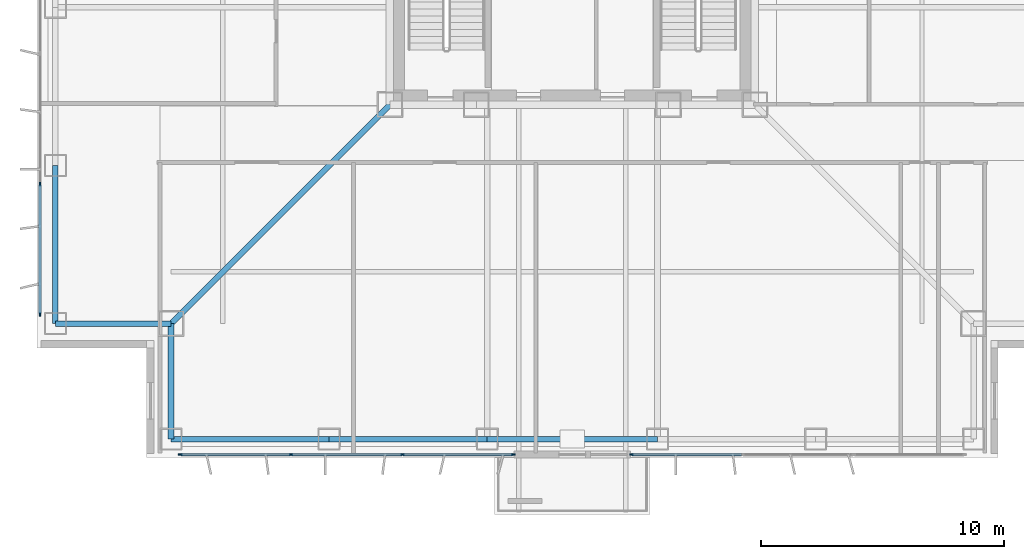
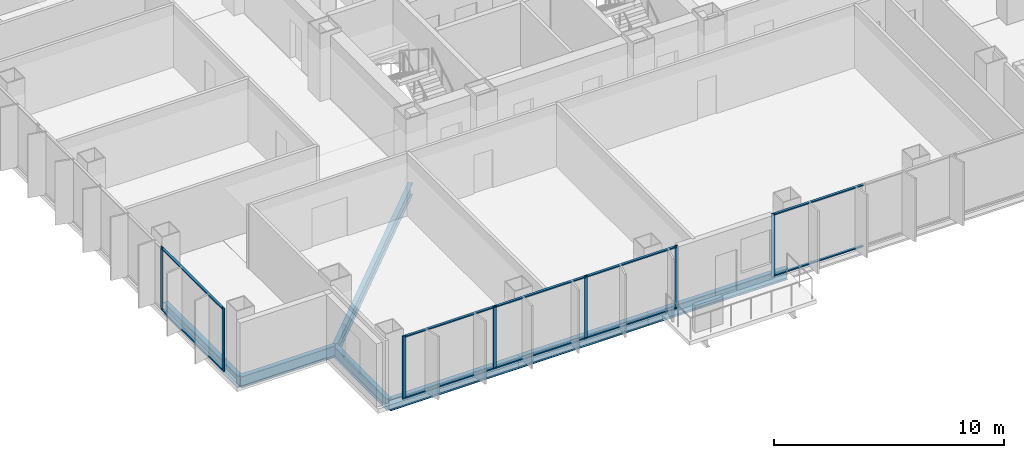
# One storey, part 2 of 18: 17 members, 7 beams, 3 elements without a shape of their own.
"""IFC4 building model written with IfcOpenShell, lengths in metres."""

import ifcopenshell
import ifcopenshell.guid

model = None  # the IFC model being written
_history = None  # IfcOwnerHistory: only IFC2X3 demands one
_inside = {}  # id of a spatial element -> (the spatial element, [elements in it])
_under = {}  # id of a project, library or spatial element -> (it, [spatial elements below it])
_declared = {}  # id of a project -> (the project, [libraries it declares])
_typed = {}  # id of a type object -> (the type object, [elements of that type])
_made_of = {}  # id of a material, layer set ... -> (it, [elements and type objects made of it])


def new_model(schema):
    """Start an empty IFC model of exactly this schema.

    Asked for "IFC4X3", IfcOpenShell would pick the latest addendum, in which some entities
    have other attributes; the version numbers below select the first issue.
    IFC2X3 requires an IfcOwnerHistory on every rooted entity: one is made here for all.
    """
    global model, _history
    if schema == "IFC4X3":
        model = ifcopenshell.file(schema_version=(4, 3, 0, 0))
    else:
        model = ifcopenshell.file(schema=schema)
    _inside.clear()
    _under.clear()
    _declared.clear()
    _typed.clear()
    _made_of.clear()
    _history = None
    if model.schema == "IFC2X3":
        org = make("IfcOrganization", Name="unknown")
        user = make(
            "IfcPersonAndOrganization",
            ThePerson=make("IfcPerson", FamilyName="unknown"),
            TheOrganization=org,
        )
        app = make(
            "IfcApplication",
            ApplicationDeveloper=org,
            Version="unknown",
            ApplicationFullName="unknown",
            ApplicationIdentifier="unknown",
        )
        _history = make(
            "IfcOwnerHistory",
            OwningUser=user,
            OwningApplication=app,
            ChangeAction="ADDED",
            CreationDate=0,
        )
    return model


def make(cls, **values):
    """One entity of the class cls with the attributes given. An attribute that is None is left unset."""
    return model.create_entity(
        cls, **{name: value for name, value in values.items() if value is not None}
    )


def rooted(cls, **values):
    """An entity with a GlobalId (a new one), such as an element, a storey or a relation."""
    return make(cls, GlobalId=ifcopenshell.guid.new(), OwnerHistory=_history, **values)


def si_unit(unit_type, name, prefix=None):
    """IfcSIUnit, for example si_unit("LENGTHUNIT", "METRE", prefix="MILLI")."""
    return make("IfcSIUnit", UnitType=unit_type, Prefix=prefix, Name=name)


def assignment(units):
    """IfcUnitAssignment: the units of a project."""
    return None if units is None else make("IfcUnitAssignment", Units=units)


def point(xyz):
    """IfcCartesianPoint."""
    return None if xyz is None else make("IfcCartesianPoint", Coordinates=xyz)


def direction(xyz):
    """IfcDirection."""
    return None if xyz is None else make("IfcDirection", DirectionRatios=xyz)


def frame(location, z_axis=None, x_axis=None):
    """IfcAxis2Placement3D, a coordinate frame: its origin and axes. An axis left out is left unset."""
    return make(
        "IfcAxis2Placement3D",
        Location=point(location),
        Axis=direction(z_axis),
        RefDirection=direction(x_axis),
    )


def frame_2d(location, x_axis=None):
    """IfcAxis2Placement2D, a coordinate frame in the plane: its origin and x axis."""
    return make(
        "IfcAxis2Placement2D", Location=point(location), RefDirection=direction(x_axis)
    )


def origin():
    """The frame at (0, 0, 0) with its axes left unset."""
    return frame((0.0, 0.0, 0.0))


def origin_2d():
    """The frame at (0, 0) in the plane with its x axis left unset."""
    return frame_2d((0.0, 0.0))


def place(relative_to, where):
    """IfcLocalPlacement: puts the frame where relative to a parent placement (None: the world)."""
    return make(
        "IfcLocalPlacement", PlacementRelTo=relative_to, RelativePlacement=where
    )


def context(
    kind, dimensions, precision=None, world=None, true_north=None, identifier=None
):
    """IfcGeometricRepresentationContext, for example the 3D "Model" context."""
    return make(
        "IfcGeometricRepresentationContext",
        ContextIdentifier=identifier,
        ContextType=kind,
        CoordinateSpaceDimension=dimensions,
        Precision=precision,
        WorldCoordinateSystem=world,
        TrueNorth=true_north,
    )


def subcontext(parent, identifier, kind, view, scale=None):
    """IfcGeometricRepresentationSubContext, for example "Body" below "Model"."""
    return make(
        "IfcGeometricRepresentationSubContext",
        ContextIdentifier=identifier,
        ContextType=kind,
        ParentContext=parent,
        TargetScale=scale,
        TargetView=view,
    )


def project(units=None, contexts=None):
    """IfcProject with its units and contexts."""
    return rooted(
        "IfcProject",
        Name="project",
        RepresentationContexts=contexts,
        UnitsInContext=assignment(units),
    )


def spatial(cls, under=None, at=None, **own):
    """A site, building, storey or space (cls), placed at a placement, below another one or the project."""
    s = rooted(cls, ObjectPlacement=at, **own)
    if under is not None:
        _under.setdefault(under.id(), (under, []))[1].append(s)
    return s


def profile(cls, at=None, kind="AREA", **sizes):
    """A parametric profile (cls). Its sizes go by their IFC names, for example OverallWidth=200.0."""
    return make(cls, ProfileType=kind, Position=at, **sizes)


def rectangle(**sizes):
    """IfcRectangleProfileDef."""
    return profile("IfcRectangleProfileDef", **sizes)


def i_section(**sizes):
    """IfcIShapeProfileDef."""
    return profile("IfcIShapeProfileDef", **sizes)


def extrude(swept, where, along, depth):
    """IfcExtrudedAreaSolid: the profile swept, set in the frame where, extruded along a direction by depth."""
    return make(
        "IfcExtrudedAreaSolid",
        SweptArea=swept,
        Position=where,
        ExtrudedDirection=direction(along),
        Depth=depth,
    )


def shape(context_of_items, identifier, shape_type, items):
    """IfcShapeRepresentation: the items that make up one representation, for example the "Body"."""
    return make(
        "IfcShapeRepresentation",
        ContextOfItems=context_of_items,
        RepresentationIdentifier=identifier,
        RepresentationType=shape_type,
        Items=items,
    )


def material(Name=None, Category=None):
    """IfcMaterial."""
    return make("IfcMaterial", Name=Name, Category=Category)


def layer(
    of_material, thickness, ventilated=None, Name=None, Category=None, Priority=None
):
    """IfcMaterialLayer: one layer of a wall or slab, of a material (None: an air gap)."""
    return make(
        "IfcMaterialLayer",
        Material=of_material,
        LayerThickness=thickness,
        IsVentilated=ventilated,
        Name=Name,
        Category=Category,
        Priority=Priority,
    )


def layer_set(layers, Name=None):
    """IfcMaterialLayerSet."""
    return make("IfcMaterialLayerSet", MaterialLayers=layers, LayerSetName=Name)


def material_profile(
    of_material, cross_section, Name=None, Category=None, Priority=None
):
    """IfcMaterialProfile: a cross section and its material."""
    return make(
        "IfcMaterialProfile",
        Name=Name,
        Material=of_material,
        Profile=cross_section,
        Priority=Priority,
        Category=Category,
    )


def profile_set(profiles, Name=None, composite=None):
    """IfcMaterialProfileSet."""
    return make(
        "IfcMaterialProfileSet",
        Name=Name,
        MaterialProfiles=profiles,
        CompositeProfile=composite,
    )


def made_of(thing, what):
    """Note that an element or type object is made of a material, layer set ...; save() writes the relation."""
    if what is not None:
        _made_of.setdefault(what.id(), (what, []))[1].append(thing)
    return thing


def type_object(cls, material=None, **own):
    """A type object (cls), such as IfcWallType, which elements share."""
    return made_of(rooted(cls, **own), material)


def element(
    cls,
    number,
    at=None,
    inside=None,
    cuts=None,
    type_object=None,
    material=None,
    context=None,
    identifier="Body",
    shape_type=None,
    held_by="IfcProductDefinitionShape",
    body=None,
    shapes=None,
    **own,
):
    """One element of the class cls, such as IfcWall. Its Tag is "e" and its number.

    at: its placement. inside: the storey or other place that contains it. cuts: it is an
    opening in that element (IfcRelVoidsElement). A single representation is given by context,
    identifier, shape_type and body (its items); several are given by shapes. held_by: the class
    of the entity that holds the representations. save() writes the other relations.
    """
    e = rooted(cls, Tag="e%d" % number, ObjectPlacement=at, **own)
    if body is not None:
        shapes = [shape(context, identifier, shape_type, body)]
    if shapes is not None:
        e.Representation = make(held_by, Representations=shapes)
    if inside is not None:
        _inside.setdefault(inside.id(), (inside, []))[1].append(e)
    if cuts is not None:
        rooted(
            "IfcRelVoidsElement", RelatingBuildingElement=cuts, RelatedOpeningElement=e
        )
    if type_object is not None:
        _typed.setdefault(type_object.id(), (type_object, []))[1].append(e)
    return made_of(e, material)


def aggregate(whole, parts):
    """IfcRelAggregates: a whole, such as a stair, and the parts it consists of."""
    return rooted("IfcRelAggregates", RelatingObject=whole, RelatedObjects=parts)


def save(model, path):
    """Write the relations noted so far, then the file.

    IfcRelAggregates (storeys below a building ...), IfcRelContainedInSpatialStructure (elements
    in a storey), IfcRelDefinesByType, IfcRelAssociatesMaterial and IfcRelDeclares: one each for
    every whole, place, type object, material and project.
    """
    for whole, parts in _under.values():
        aggregate(whole, parts)
    for where, things in _inside.values():
        rooted(
            "IfcRelContainedInSpatialStructure",
            RelatedElements=things,
            RelatingStructure=where,
        )
    for kind, things in _typed.values():
        rooted("IfcRelDefinesByType", RelatedObjects=things, RelatingType=kind)
    for what, things in _made_of.values():
        rooted("IfcRelAssociatesMaterial", RelatedObjects=things, RelatingMaterial=what)
    for by, libraries in _declared.values():
        rooted("IfcRelDeclares", RelatingContext=by, RelatedDefinitions=libraries)
    model.write(path)


model = new_model("IFC4")

# Units and contexts
model_context = context("Model", 3, precision=1e-05, world=origin(), true_north=direction((0.0, 1.0)))
body_context = subcontext(model_context, "Body", "Model", "MODEL_VIEW")
ifc_project = project(units=[si_unit("LENGTHUNIT", "METRE"), si_unit("AREAUNIT", "SQUARE_METRE"), si_unit("VOLUMEUNIT", "CUBIC_METRE"), si_unit("PLANEANGLEUNIT", "RADIAN"), si_unit("MASSUNIT", "GRAM", prefix="KILO")], contexts=[model_context])

# Site, building, storey
site_placement = place(None, origin())
site = spatial("IfcSite", under=ifc_project, at=site_placement, CompositionType="ELEMENT")
building_placement = place(site_placement, origin())
building = spatial("IfcBuilding", under=site, at=building_placement, Name="Trevonay Congress Spire", CompositionType="ELEMENT")
storey_placement = place(building_placement, frame((0.0, 0.0, 104.800048828125)))
storey = spatial("IfcBuildingStorey", under=building, at=storey_placement, Name="L26", CompositionType="ELEMENT", Elevation=104.800048828125)

# Beams
ifc_material_1 = material(Name="Steel ASTM A572 Grade 50", Category="steel")
ifc_material_profile_1 = material_profile(ifc_material_1, i_section(OverallWidth=0.22998046875, OverallDepth=0.616943359375, WebThickness=0.01318359375, FlangeThickness=0.022216796875, FilletRadius=0.01611328125, at=origin_2d()), Name="W610x140")
ifc_profile_set_1 = profile_set([ifc_material_profile_1], Name="Steel ASTM A572 Grade 50")
beam_type_1 = type_object("IfcBeamType", Name="BM-GIRD-W610X140", PredefinedType="BEAM", material=ifc_profile_set_1)
beam_1_placement = place(storey_placement, frame((-7.5, -7.5, -0.548583984375), z_axis=(-0.707106781187, -0.707106781187, 0.0), x_axis=(0.707106781187, -0.707106781187, 0.0)))
element("IfcBeam", 1, at=beam_1_placement, inside=storey, type_object=beam_type_1, Name="L26 structural beam BM-L26-CDSW", PredefinedType="BEAM", context=body_context, shape_type="SweptSolid", body=[
    extrude(i_section(OverallWidth=0.22998046875, OverallDepth=0.616943359375, WebThickness=0.01318359375, FlangeThickness=0.022216796875, FilletRadius=0.01611328125, at=origin_2d()), origin(), (0.0, 0.0, 1.0), 12.72802734375),
])
ifc_material_profile_2 = material_profile(ifc_material_1, i_section(OverallWidth=0.22802734375, OverallDepth=0.60791015625, WebThickness=0.01123046875, FlangeThickness=0.017333984375, FilletRadius=0.01611328125, at=origin_2d()), Name="W610x113")
ifc_profile_set_2 = profile_set([ifc_material_profile_2], Name="Steel ASTM A572 Grade 50")
beam_type_2 = type_object("IfcBeamType", Name="BM-RING-W610X113", PredefinedType="BEAM", material=ifc_profile_set_2)
for number, where, z_axis, x_axis, name in (
    (2, (-16.5, -21.25, -0.5439453125), (1.0, 0.0, 0.0), (0.0, 1.0, 0.0), "L26 structural beam BM-L26-PS1"),
    (3, (-21.25, -16.5, -0.5439453125), (0.0, 1.0, 0.0), (-1.0, 0.0, 0.0), "L26 structural beam BM-L26-PW1"),
    (4, (-10.0, -21.25, -0.5439453125), (1.0, 0.0, 0.0), (0.0, 1.0, 0.0), "L26 structural beam BM-L26-PS2"),
):
    element("IfcBeam", number, at=place(storey_placement, frame(where, z_axis=z_axis, x_axis=x_axis)), inside=storey, type_object=beam_type_2, Name=name, PredefinedType="BEAM", context=body_context, shape_type="SweptSolid", body=[
        extrude(i_section(OverallWidth=0.22802734375, OverallDepth=0.60791015625, WebThickness=0.01123046875, FlangeThickness=0.017333984375, FilletRadius=0.01611328125, at=origin_2d()), origin(), (0.0, 0.0, 1.0), 6.5),
    ])
beam_2_placement = place(storey_placement, frame((-3.5, -21.25, -0.5439453125), z_axis=(1.0, 0.0, 0.0), x_axis=(0.0, 1.0, 0.0)))
element("IfcBeam", 5, at=beam_2_placement, inside=storey, type_object=beam_type_2, Name="L26 structural beam BM-L26-PS3", PredefinedType="BEAM", context=body_context, shape_type="SweptSolid", body=[
    extrude(i_section(OverallWidth=0.22802734375, OverallDepth=0.60791015625, WebThickness=0.01123046875, FlangeThickness=0.017333984375, FilletRadius=0.01611328125, at=origin_2d()), origin(), (0.0, 0.0, 1.0), 7.0),
])
for number, where, z_axis, x_axis, name in (
    (6, (-16.5, -21.25, -0.5439453125), (0.0, 1.0, 0.0), (-1.0, 0.0, 0.0), "L26 structural beam BM-L26-N1SW"),
    (7, (-21.25, -16.5, -0.5439453125), (1.0, 0.0, 0.0), (0.0, 1.0, 0.0), "L26 structural beam BM-L26-N2SW"),
):
    element("IfcBeam", number, at=place(storey_placement, frame(where, z_axis=z_axis, x_axis=x_axis)), inside=storey, type_object=beam_type_2, Name=name, PredefinedType="BEAM", context=body_context, shape_type="SweptSolid", body=[
        extrude(i_section(OverallWidth=0.22802734375, OverallDepth=0.60791015625, WebThickness=0.01123046875, FlangeThickness=0.017333984375, FilletRadius=0.01611328125, at=origin_2d()), origin(), (0.0, 0.0, 1.0), 4.75),
    ])

# Curtain wall, members
ifc_material_2 = material(Name="Pale Anodised Aluminium EN AW-6063-T6", Category="aluminium")
ifc_layer = layer(ifc_material_2, 0.175048828125, Name="Pale Anodised Aluminium EN AW-6063-T6")
ifc_layer_set = layer_set([ifc_layer], Name="Pale Anodised Aluminium EN AW-6063-T6")
curtain_wall_type = type_object("IfcCurtainWallType", Name="CW-SYS03-CONGRESS-PALE-METAL", PredefinedType="NOTDEFINED", material=ifc_layer_set)
curtain_wall_1_placement = place(storey_placement, origin())
curtain_wall_1 = element("IfcCurtainWall", 8, at=curtain_wall_1_placement, inside=storey, type_object=curtain_wall_type, Name="L26 SA unitised curtain wall", PredefinedType="NOTDEFINED")
ifc_material_profile_3 = material_profile(ifc_material_2, rectangle(XDim=0.06005859375, YDim=0.159912109375, at=origin_2d()), Name="CW-MULLION-160-ALUMINIUM")
ifc_profile_set_3 = profile_set([ifc_material_profile_3], Name="Pale Anodised Aluminium EN AW-6063-T6")
member_type_1 = type_object("IfcMemberType", Name="CW-MULLION-160-ALUMINIUM", PredefinedType="MULLION", material=ifc_profile_set_3)
member_1_placement = place(storey_placement, frame((-16.1201171875, -21.8798828125, 0.0), z_axis=(0.0, 0.0, 1.0), x_axis=(0.0, 1.0, 0.0)))
member_1 = element("IfcMember", 9, at=member_1_placement, type_object=member_type_1, Name="CW03 mullion 1", PredefinedType="MULLION", context=body_context, shape_type="SweptSolid", body=[
    extrude(rectangle(XDim=0.06005859375, YDim=0.159912109375, at=origin_2d()), origin(), (0.0, 0.0, 1.0), 3.35986328125),
])
member_2_placement = place(storey_placement, frame((-11.566650390625, -21.8798828125, 0.0), z_axis=(0.0, 0.0, 1.0), x_axis=(0.0, 1.0, 0.0)))
member_2 = element("IfcMember", 10, at=member_2_placement, type_object=member_type_1, Name="CW03 mullion 2", PredefinedType="MULLION", context=body_context, shape_type="SweptSolid", body=[
    extrude(rectangle(XDim=0.06005859375, YDim=0.159912109375, at=origin_2d()), origin(), (0.0, 0.0, 1.0), 3.35986328125),
])
member_3_placement = place(storey_placement, frame((-6.9833984375, -21.8798828125, 0.0), z_axis=(0.0, 0.0, 1.0), x_axis=(0.0, 1.0, 0.0)))
member_3 = element("IfcMember", 11, at=member_3_placement, type_object=member_type_1, Name="CW03 mullion 3", PredefinedType="MULLION", context=body_context, shape_type="SweptSolid", body=[
    extrude(rectangle(XDim=0.06005859375, YDim=0.159912109375, at=origin_2d()), origin(), (0.0, 0.0, 1.0), 3.35986328125),
])
member_4_placement = place(storey_placement, frame((-2.429931640625, -21.8798828125, 0.0), z_axis=(0.0, 0.0, 1.0), x_axis=(0.0, 1.0, 0.0)))
member_4 = element("IfcMember", 12, at=member_4_placement, type_object=member_type_1, Name="CW03 mullion 4", PredefinedType="MULLION", context=body_context, shape_type="SweptSolid", body=[
    extrude(rectangle(XDim=0.06005859375, YDim=0.159912109375, at=origin_2d()), origin(), (0.0, 0.0, 1.0), 3.35986328125),
])

# Curtain wall, member
curtain_wall_2_placement = place(storey_placement, origin())
curtain_wall_2 = element("IfcCurtainWall", 13, at=curtain_wall_2_placement, inside=storey, type_object=curtain_wall_type, Name="L26 SB unitised curtain wall", PredefinedType="NOTDEFINED")
member_5_placement = place(storey_placement, frame((2.429931640625, -21.8798828125, 0.0), z_axis=(0.0, 0.0, 1.0), x_axis=(0.0, 1.0, 0.0)))
member_5 = element("IfcMember", 14, at=member_5_placement, type_object=member_type_1, Name="CW03 mullion 1", PredefinedType="MULLION", context=body_context, shape_type="SweptSolid", body=[
    extrude(rectangle(XDim=0.06005859375, YDim=0.159912109375, at=origin_2d()), origin(), (0.0, 0.0, 1.0), 3.35986328125),
])

# Curtain wall, members
curtain_wall_3_placement = place(storey_placement, origin())
curtain_wall_3 = element("IfcCurtainWall", 15, at=curtain_wall_3_placement, inside=storey, type_object=curtain_wall_type, Name="L26 W unitised curtain wall", PredefinedType="NOTDEFINED")
member_6_placement = place(storey_placement, frame((-21.8798828125, -16.1201171875, 0.0), z_axis=(0.0, 0.0, 1.0), x_axis=(-1.0, 0.0, 0.0)))
member_6 = element("IfcMember", 16, at=member_6_placement, type_object=member_type_1, Name="CW03 mullion 1", PredefinedType="MULLION", context=body_context, shape_type="SweptSolid", body=[
    extrude(rectangle(XDim=0.06005859375, YDim=0.159912109375, at=origin_2d()), origin(), (0.0, 0.0, 1.0), 3.35986328125),
])
member_7_placement = place(storey_placement, frame((-21.8798828125, -10.7666015625, 0.0), z_axis=(0.0, 0.0, 1.0), x_axis=(-1.0, 0.0, 0.0)))
member_7 = element("IfcMember", 17, at=member_7_placement, type_object=member_type_1, Name="CW03 mullion 2", PredefinedType="MULLION", context=body_context, shape_type="SweptSolid", body=[
    extrude(rectangle(XDim=0.06005859375, YDim=0.159912109375, at=origin_2d()), origin(), (0.0, 0.0, 1.0), 3.35986328125),
])

# Member
ifc_material_profile_4 = material_profile(ifc_material_2, rectangle(XDim=0.1201171875, YDim=0.06005859375, at=origin_2d()), Name="CW-TRANSOM-120-ALUMINIUM")
ifc_profile_set_4 = profile_set([ifc_material_profile_4], Name="Pale Anodised Aluminium EN AW-6063-T6")
member_type_2 = type_object("IfcMemberType", Name="CW-TRANSOM-120-ALUMINIUM", PredefinedType="USERDEFINED", material=ifc_profile_set_4)
member_8_placement = place(storey_placement, frame((-16.090087890625, -21.8798828125, 0.06005859375), z_axis=(1.0, 0.0, 0.0), x_axis=(0.0, 1.0, 0.0)))
member_8 = element("IfcMember", 18, at=member_8_placement, type_object=member_type_2, Name="CW03 transom 1.1", ObjectType="TRANSOM", PredefinedType="USERDEFINED", context=body_context, shape_type="SweptSolid", body=[
    extrude(rectangle(XDim=0.1201171875, YDim=0.06005859375, at=origin_2d()), origin(), (0.0, 0.0, 1.0), 4.493408203125),
])

member_9_placement = place(storey_placement, frame((-16.090087890625, -21.8798828125, 3.300048828125), z_axis=(1.0, 0.0, 0.0), x_axis=(0.0, 1.0, 0.0)))
member_9 = element("IfcMember", 19, at=member_9_placement, type_object=member_type_2, Name="CW03 transom 1.2", ObjectType="TRANSOM", PredefinedType="USERDEFINED", context=body_context, shape_type="SweptSolid", body=[
    extrude(rectangle(XDim=0.1201171875, YDim=0.06005859375, at=origin_2d()), origin(), (0.0, 0.0, 1.0), 4.493408203125),
])

member_10_placement = place(storey_placement, frame((-11.53662109375, -21.8798828125, 0.06005859375), z_axis=(1.0, 0.0, 0.0), x_axis=(0.0, 1.0, 0.0)))
member_10 = element("IfcMember", 20, at=member_10_placement, type_object=member_type_2, Name="CW03 transom 2.1", ObjectType="TRANSOM", PredefinedType="USERDEFINED", context=body_context, shape_type="SweptSolid", body=[
    extrude(rectangle(XDim=0.1201171875, YDim=0.06005859375, at=origin_2d()), origin(), (0.0, 0.0, 1.0), 4.523193359375),
])

member_11_placement = place(storey_placement, frame((-11.53662109375, -21.8798828125, 3.300048828125), z_axis=(1.0, 0.0, 0.0), x_axis=(0.0, 1.0, 0.0)))
member_11 = element("IfcMember", 21, at=member_11_placement, type_object=member_type_2, Name="CW03 transom 2.2", ObjectType="TRANSOM", PredefinedType="USERDEFINED", context=body_context, shape_type="SweptSolid", body=[
    extrude(rectangle(XDim=0.1201171875, YDim=0.06005859375, at=origin_2d()), origin(), (0.0, 0.0, 1.0), 4.523193359375),
])

member_12_placement = place(storey_placement, frame((-6.953369140625, -21.8798828125, 0.06005859375), z_axis=(1.0, 0.0, 0.0), x_axis=(0.0, 1.0, 0.0)))
member_12 = element("IfcMember", 22, at=member_12_placement, type_object=member_type_2, Name="CW03 transom 3.1", ObjectType="TRANSOM", PredefinedType="USERDEFINED", context=body_context, shape_type="SweptSolid", body=[
    extrude(rectangle(XDim=0.1201171875, YDim=0.06005859375, at=origin_2d()), origin(), (0.0, 0.0, 1.0), 4.493408203125),
])

member_13_placement = place(storey_placement, frame((-6.953369140625, -21.8798828125, 3.300048828125), z_axis=(1.0, 0.0, 0.0), x_axis=(0.0, 1.0, 0.0)))
member_13 = element("IfcMember", 23, at=member_13_placement, type_object=member_type_2, Name="CW03 transom 3.2", ObjectType="TRANSOM", PredefinedType="USERDEFINED", context=body_context, shape_type="SweptSolid", body=[
    extrude(rectangle(XDim=0.1201171875, YDim=0.06005859375, at=origin_2d()), origin(), (0.0, 0.0, 1.0), 4.493408203125),
])

aggregate(curtain_wall_1, [member_1, member_2, member_3, member_4, member_8, member_9, member_10, member_11, member_12, member_13])

member_14_placement = place(storey_placement, frame((2.4599609375, -21.8798828125, 0.06005859375), z_axis=(1.0, 0.0, 0.0), x_axis=(0.0, 1.0, 0.0)))
member_14 = element("IfcMember", 24, at=member_14_placement, type_object=member_type_2, Name="CW03 transom 1.1", ObjectType="TRANSOM", PredefinedType="USERDEFINED", context=body_context, shape_type="SweptSolid", body=[
    extrude(rectangle(XDim=0.1201171875, YDim=0.06005859375, at=origin_2d()), origin(), (0.0, 0.0, 1.0), 4.493408203125),
])

member_15_placement = place(storey_placement, frame((2.4599609375, -21.8798828125, 3.300048828125), z_axis=(1.0, 0.0, 0.0), x_axis=(0.0, 1.0, 0.0)))
member_15 = element("IfcMember", 25, at=member_15_placement, type_object=member_type_2, Name="CW03 transom 1.2", ObjectType="TRANSOM", PredefinedType="USERDEFINED", context=body_context, shape_type="SweptSolid", body=[
    extrude(rectangle(XDim=0.1201171875, YDim=0.06005859375, at=origin_2d()), origin(), (0.0, 0.0, 1.0), 4.493408203125),
])

aggregate(curtain_wall_2, [member_5, member_14, member_15])

member_16_placement = place(storey_placement, frame((-21.8798828125, -16.090087890625, 0.06005859375), z_axis=(0.0, 1.0, 0.0), x_axis=(-1.0, 0.0, 0.0)))
member_16 = element("IfcMember", 26, at=member_16_placement, type_object=member_type_2, Name="CW03 transom 1.1", ObjectType="TRANSOM", PredefinedType="USERDEFINED", context=body_context, shape_type="SweptSolid", body=[
    extrude(rectangle(XDim=0.1201171875, YDim=0.06005859375, at=origin_2d()), origin(), (0.0, 0.0, 1.0), 5.29345703125),
])

member_17_placement = place(storey_placement, frame((-21.8798828125, -16.090087890625, 3.300048828125), z_axis=(0.0, 1.0, 0.0), x_axis=(-1.0, 0.0, 0.0)))
member_17 = element("IfcMember", 27, at=member_17_placement, type_object=member_type_2, Name="CW03 transom 1.2", ObjectType="TRANSOM", PredefinedType="USERDEFINED", context=body_context, shape_type="SweptSolid", body=[
    extrude(rectangle(XDim=0.1201171875, YDim=0.06005859375, at=origin_2d()), origin(), (0.0, 0.0, 1.0), 5.29345703125),
])

aggregate(curtain_wall_3, [member_6, member_7, member_16, member_17])

save(model, "model.ifc")
